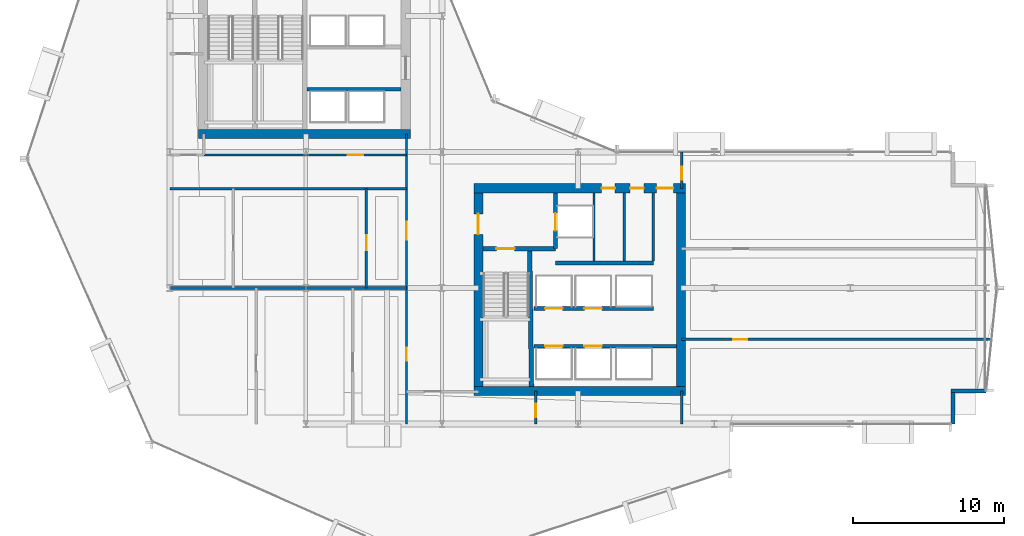
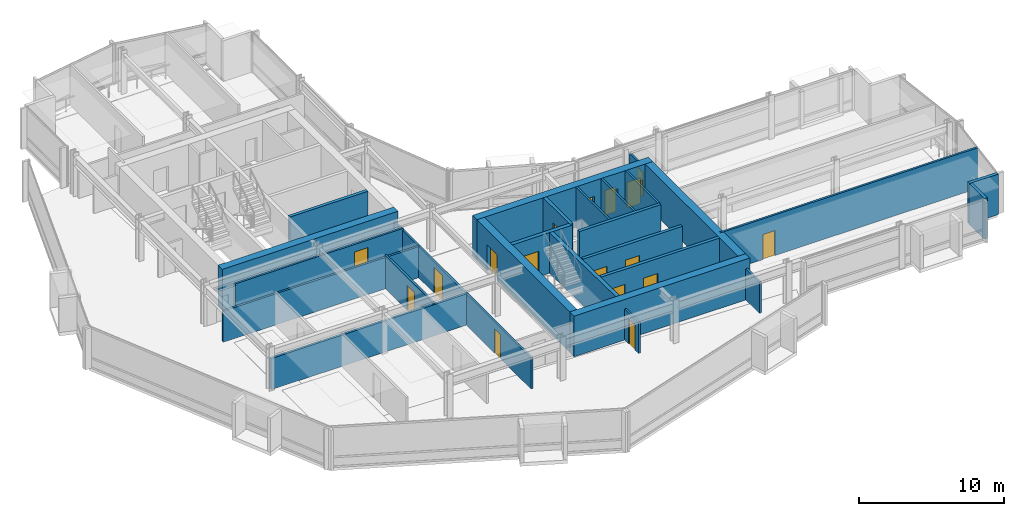
# One storey, part 27 of 34: 26 walls, 17 doors, 17 openings.
"""IFC4 building model written with IfcOpenShell, lengths in metres."""

from ifc_helpers import new_model, si_unit, direction, frame, frame_2d, origin, place, context, subcontext, project, spatial, rectangle, extrude, material, layer, layer_set, type_object, element, fill, save


model = new_model("IFC4")

# Units and contexts
model_context = context("Model", 3, precision=1e-05, world=origin(), true_north=direction((0.0, 1.0)))
body_context = subcontext(model_context, "Body", "Model", "MODEL_VIEW")
ifc_project = project(units=[si_unit("LENGTHUNIT", "METRE"), si_unit("AREAUNIT", "SQUARE_METRE"), si_unit("VOLUMEUNIT", "CUBIC_METRE"), si_unit("PLANEANGLEUNIT", "RADIAN"), si_unit("MASSUNIT", "GRAM", prefix="KILO")], contexts=[model_context])

# Site, building, storey
site_placement = place(None, origin())
site = spatial("IfcSite", under=ifc_project, at=site_placement, CompositionType="ELEMENT")
building_placement = place(site_placement, origin())
building = spatial("IfcBuilding", under=site, at=building_placement, Name="Solvaryn Broadcast Tower", CompositionType="ELEMENT")
storey_placement = place(building_placement, frame((0.0, 0.0, 76.699951171875)))
storey = spatial("IfcBuildingStorey", under=building, at=storey_placement, Name="L18", CompositionType="ELEMENT", Elevation=76.699951171875)

# Walls
ifc_material_1 = material(Name="Concrete f'c 70 MPa", Category="concrete")
ifc_layer_1 = layer(ifc_material_1, 0.60009765625)
ifc_layer_set_1 = layer_set([ifc_layer_1], Name="CW-SHEAR-600")
wall_type_1 = type_object("IfcWallType", Name="CW-SHEAR-600", PredefinedType="SHEAR", material=ifc_layer_set_1)
for number, where, z_axis, x_axis, name in (
    (1, (10.89990234375, 28.199951171875, 0.0), (0.0, 0.0, 1.0), (1.0, 0.0, 0.0), "L18 West Core South Shear Wall"),
    (2, (29.10009765625, 11.199951171875, 0.0), (0.0, 0.0, 1.0), (1.0, 0.0, 0.0), "L18 East Core South Shear Wall"),
):
    element("IfcWall", number, at=place(storey_placement, frame(where, z_axis=z_axis, x_axis=x_axis)), inside=storey, type_object=wall_type_1, Name=name, PredefinedType="SHEAR", context=body_context, shape_type="SweptSolid", body=[
        extrude(rectangle(XDim=14.0, YDim=0.60009765625, at=frame_2d((7.0, 0.0))), origin(), (0.0, 0.0, 1.0), 3.420166015625),
    ])

# Wall, openings, doors
wall_1_placement = place(storey_placement, frame((43.10009765625, 24.60009765625, 0.0), z_axis=(0.0, 0.0, 1.0), x_axis=(-1.0, 0.0, 0.0)))
wall_1 = element("IfcWall", 3, at=wall_1_placement, inside=storey, type_object=wall_type_1, Name="L18 East Core North Shear Wall", PredefinedType="SHEAR", context=body_context, shape_type="SweptSolid", body=[
    extrude(rectangle(XDim=14.0, YDim=0.60009765625, at=frame_2d((7.0, 0.0))), origin(), (0.0, 0.0, 1.0), 3.420166015625),
])
opening_1_placement = place(wall_1_placement, frame((0.800048828125, 0.0, 0.0)))
opening_1 = element("IfcOpeningElement", 4, at=opening_1_placement, cuts=wall_1, Name="Opening FD90C", PredefinedType="OPENING", context=body_context, shape_type="SweptSolid", body=[
    extrude(rectangle(XDim=1.10009765625, YDim=2.14990234375, at=frame_2d((0.550048828125, 1.074951171875))), frame((0.0, 0.31005859375, 0.0), z_axis=(0.0, -1.0, 0.0), x_axis=(1.0, 0.0, 0.0)), (0.0, 0.0, 1.0), 0.6201171875),
])
opening_2_placement = place(wall_1_placement, frame((2.75, 0.0, 0.0)))
opening_2 = element("IfcOpeningElement", 5, at=opening_2_placement, cuts=wall_1, Name="Opening FD60C", PredefinedType="OPENING", context=body_context, shape_type="SweptSolid", body=[
    extrude(rectangle(XDim=0.89990234375, YDim=2.10009765625, at=frame_2d((0.449951171875, 1.050048828125))), frame((0.0, 0.31005859375, 0.0), z_axis=(0.0, -1.0, 0.0), x_axis=(1.0, 0.0, 0.0)), (0.0, 0.0, 1.0), 0.6201171875),
])
opening_3_placement = place(wall_1_placement, frame((4.64990234375, 0.0, 0.0)))
opening_3 = element("IfcOpeningElement", 6, at=opening_3_placement, cuts=wall_1, Name="Opening FD60C", PredefinedType="OPENING", context=body_context, shape_type="SweptSolid", body=[
    extrude(rectangle(XDim=0.89990234375, YDim=2.10009765625, at=frame_2d((0.449951171875, 1.050048828125))), frame((0.0, 0.31005859375, 0.0), z_axis=(0.0, -1.0, 0.0), x_axis=(1.0, 0.0, 0.0)), (0.0, 0.0, 1.0), 0.6201171875),
])
ifc_material_2 = material(Name="Flush Acoustic Steel and Timber Door Assembly", Category="steel")
door_type_1 = type_object("IfcDoorType", Name="FD60-SERV-900X2100", OperationType="NOTDEFINED", PredefinedType="DOOR", material=ifc_material_2)
door_1_placement = place(opening_2_placement, origin())
door_1 = element("IfcDoor", 7, at=door_1_placement, inside=storey, type_object=door_type_1, Name="L18 Staff Restroom Door", OperationType="SINGLE_SWING_LEFT", OverallHeight=2.10009765625, OverallWidth=0.89990234375, PredefinedType="DOOR", context=body_context, shape_type="SweptSolid", body=[
    extrude(rectangle(XDim=0.89990234375, YDim=2.10009765625, at=frame_2d((0.449951171875, 1.050048828125))), frame((0.0, 0.02490234375, 0.0), z_axis=(0.0, -1.0, 0.0), x_axis=(1.0, 0.0, 0.0)), (0.0, 0.0, 1.0), 0.050048828125),
])
fill(opening_2, door_1)
door_2_placement = place(opening_3_placement, origin())
door_2 = element("IfcDoor", 8, at=door_2_placement, inside=storey, type_object=door_type_1, Name="L18 Accessible WC Door", OperationType="SINGLE_SWING_RIGHT", OverallHeight=2.10009765625, OverallWidth=0.89990234375, PredefinedType="DOOR", context=body_context, shape_type="SweptSolid", body=[
    extrude(rectangle(XDim=0.89990234375, YDim=2.10009765625, at=frame_2d((0.449951171875, 1.050048828125))), frame((0.0, 0.02490234375, 0.0), z_axis=(0.0, -1.0, 0.0), x_axis=(1.0, 0.0, 0.0)), (0.0, 0.0, 1.0), 0.050048828125),
])
fill(opening_3, door_2)
ifc_material_3 = material(Name="Flush Acoustic Steel and Timber Door Assembly", Category="steel")
door_type_2 = type_object("IfcDoorType", Name="FD90-PLANT-1100X2150", OperationType="NOTDEFINED", PredefinedType="DOOR", material=ifc_material_3)
door_3_placement = place(opening_1_placement, origin())
door_3 = element("IfcDoor", 9, at=door_3_placement, inside=storey, type_object=door_type_2, Name="L18 East Core Lobby Corridor Door", OperationType="SINGLE_SWING_LEFT", OverallHeight=2.14990234375, OverallWidth=1.10009765625, PredefinedType="DOOR", context=body_context, shape_type="SweptSolid", body=[
    extrude(rectangle(XDim=1.10009765625, YDim=2.14990234375, at=frame_2d((0.550048828125, 1.074951171875))), frame((0.0, 0.02490234375, 0.0), z_axis=(0.0, -1.0, 0.0), x_axis=(1.0, 0.0, 0.0)), (0.0, 0.0, 1.0), 0.050048828125),
])
fill(opening_1, door_3)

# Wall, opening, door
wall_2_placement = place(storey_placement, frame((29.39990234375, 24.300048828125, 0.0), z_axis=(0.0, 0.0, 1.0), x_axis=(0.0, -1.0, 0.0)))
wall_2 = element("IfcWall", 10, at=wall_2_placement, inside=storey, type_object=wall_type_1, Name="L18 East Core West Shear Wall", PredefinedType="SHEAR", context=body_context, shape_type="SweptSolid", body=[
    extrude(rectangle(XDim=12.800048828125, YDim=0.60009765625, at=frame_2d((6.39990234375, 0.0))), origin(), (0.0, 0.0, 1.0), 3.420166015625),
])
opening_4_placement = place(wall_2_placement, frame((1.39990234375, 0.0, 0.0)))
opening_4 = element("IfcOpeningElement", 11, at=opening_4_placement, cuts=wall_2, Name="Opening FD90B", PredefinedType="OPENING", context=body_context, shape_type="SweptSolid", body=[
    extrude(rectangle(XDim=1.35009765625, YDim=2.14990234375, at=frame_2d((0.675048828125, 1.074951171875))), frame((0.0, 0.31005859375, 0.0), z_axis=(0.0, -1.0, 0.0), x_axis=(1.0, 0.0, 0.0)), (0.0, 0.0, 1.0), 0.6201171875),
])
ifc_material_4 = material(Name="Flush Acoustic Steel and Timber Door Assembly", Category="steel")
door_type_3 = type_object("IfcDoorType", Name="FD90-LOBBY-1350X2150", OperationType="NOTDEFINED", PredefinedType="DOOR", material=ifc_material_4)
door_4_placement = place(opening_4_placement, origin())
door_4 = element("IfcDoor", 12, at=door_4_placement, inside=storey, type_object=door_type_3, Name="L18 East FSAE Lobby Door", OperationType="SINGLE_SWING_RIGHT", OverallHeight=2.14990234375, OverallWidth=1.35009765625, PredefinedType="DOOR", context=body_context, shape_type="SweptSolid", body=[
    extrude(rectangle(XDim=1.35009765625, YDim=2.14990234375, at=frame_2d((0.675048828125, 1.074951171875))), frame((0.0, 0.02490234375, 0.0), z_axis=(0.0, -1.0, 0.0), x_axis=(1.0, 0.0, 0.0)), (0.0, 0.0, 1.0), 0.050048828125),
])
fill(opening_4, door_4)

# Walls
wall_3_placement = place(storey_placement, frame((42.800048828125, 11.5, 0.0), z_axis=(0.0, 0.0, 1.0), x_axis=(0.0, 1.0, 0.0)))
element("IfcWall", 13, at=wall_3_placement, inside=storey, type_object=wall_type_1, Name="L18 East Core East Shear Wall", PredefinedType="SHEAR", context=body_context, shape_type="SweptSolid", body=[
    extrude(rectangle(XDim=12.800048828125, YDim=0.60009765625, at=frame_2d((6.39990234375, 0.0))), origin(), (0.0, 0.0, 1.0), 3.420166015625),
])
ifc_material_5 = material(Name="Concrete f'c 50 MPa", Category="concrete")
ifc_layer_2 = layer(ifc_material_5, 0.260009765625)
ifc_layer_set_2 = layer_set([ifc_layer_2], Name="EW-PIER-260")
wall_type_2 = type_object("IfcWallType", Name="EW-PIER-260", PredefinedType="SOLIDWALL", material=ifc_layer_set_2)
wall_4_placement = place(storey_placement, frame((60.800048828125, 9.0, 0.0), z_axis=(0.0, 0.0, 1.0), x_axis=(0.0, 1.0, 0.0)))
element("IfcWall", 14, at=wall_4_placement, inside=storey, type_object=wall_type_2, Name="L18 Notched Corner Pier Wall NSE1", PredefinedType="SOLIDWALL", context=body_context, shape_type="SweptSolid", body=[
    extrude(rectangle(XDim=2.080078125, YDim=0.260009765625, at=frame_2d((1.0400390625, 0.0))), origin(), (0.0, 0.0, 1.0), 3.420166015625),
])
wall_5_placement = place(storey_placement, frame((60.679931640625, 11.199951171875, 0.0), z_axis=(0.0, 0.0, 1.0), x_axis=(1.0, 0.0, 0.0)))
element("IfcWall", 15, at=wall_5_placement, inside=storey, type_object=wall_type_2, Name="L18 Notched Corner Pier Wall NSE2", PredefinedType="SOLIDWALL", context=body_context, shape_type="SweptSolid", body=[
    extrude(rectangle(XDim=2.320068359375, YDim=0.260009765625, at=frame_2d((1.16015625, 0.0))), origin(), (0.0, 0.0, 1.0), 3.420166015625),
])
ifc_material_6 = material(Name="Metal-Stud Service Core Partition")
ifc_layer_3 = layer(ifc_material_6, 0.14990234375)
ifc_layer_set_3 = layer_set([ifc_layer_3], Name="IW-PART-150")
wall_type_3 = type_object("IfcWallType", Name="IW-PART-150", PredefinedType="PARTITIONING", material=ifc_layer_set_3)
for number, where, z_axis, x_axis, name in (
    (16, (37.050048828125, 19.780029296875, 0.0), (0.0, 0.0, 1.0), (0.0, 1.0, 0.0), "L18 Interior Partition IW-L18-CE-FL2E"),
    (17, (39.050048828125, 19.780029296875, 0.0), (0.0, 0.0, 1.0), (0.0, 1.0, 0.0), "L18 Interior Partition IW-L18-CE-V1"),
    (18, (40.97998046875, 19.780029296875, 0.0), (0.0, 0.0, 1.0), (0.0, 1.0, 0.0), "L18 Interior Partition IW-L18-CE-V3"),
):
    element("IfcWall", number, at=place(storey_placement, frame(where, z_axis=z_axis, x_axis=x_axis)), inside=storey, type_object=wall_type_3, Name=name, PredefinedType="PARTITIONING", context=body_context, shape_type="SweptSolid", body=[
        extrude(rectangle(XDim=4.52001953125, YDim=0.14990234375, at=frame_2d((2.260009765625, 0.0))), origin(), (0.0, 0.0, 1.0), 3.420166015625),
    ])

# Wall, opening, door
wall_6_placement = place(storey_placement, frame((33.199951171875, 9.0, 0.0), z_axis=(0.0, 0.0, 1.0), x_axis=(0.0, 1.0, 0.0)))
wall_6 = element("IfcWall", 19, at=wall_6_placement, inside=storey, type_object=wall_type_3, Name="L18 Interior Partition IW-L18-SC-V", PredefinedType="PARTITIONING", context=body_context, shape_type="SweptSolid", body=[
    extrude(rectangle(XDim=2.199951171875, YDim=0.14990234375, at=frame_2d((1.10009765625, 0.0))), origin(), (0.0, 0.0, 1.0), 2.626953125),
])
opening_5_placement = place(wall_6_placement, frame((0.449951171875, 0.0, 0.0)))
opening_5 = element("IfcOpeningElement", 20, at=opening_5_placement, cuts=wall_6, Name="Opening FD60C", PredefinedType="OPENING", context=body_context, shape_type="SweptSolid", body=[
    extrude(rectangle(XDim=0.89990234375, YDim=2.10009765625, at=frame_2d((0.449951171875, 1.050048828125))), frame((0.0, 0.0849609375, 0.0), z_axis=(0.0, -1.0, 0.0), x_axis=(1.0, 0.0, 0.0)), (0.0, 0.0, 1.0), 0.169921875),
])
door_5_placement = place(opening_5_placement, origin())
door_5 = element("IfcDoor", 21, at=door_5_placement, inside=storey, type_object=door_type_1, Name="L18 Door DR-L18-SC1", OperationType="SINGLE_SWING_LEFT", OverallHeight=2.10009765625, OverallWidth=0.89990234375, PredefinedType="DOOR", context=body_context, shape_type="SweptSolid", body=[
    extrude(rectangle(XDim=0.89990234375, YDim=2.10009765625, at=frame_2d((0.449951171875, 1.050048828125))), frame((0.0, 0.02490234375, 0.0), z_axis=(0.0, -1.0, 0.0), x_axis=(1.0, 0.0, 0.0)), (0.0, 0.0, 1.0), 0.050048828125),
])
fill(opening_5, door_5)

# Wall, openings, doors
ifc_material_7 = material(Name="Metal-Stud Gypsum Office Partition")
ifc_layer_4 = layer(ifc_material_7, 0.159912109375)
ifc_layer_set_4 = layer_set([ifc_layer_4], Name="IW-PART-160")
wall_type_4 = type_object("IfcWallType", Name="IW-PART-160", PredefinedType="PARTITIONING", material=ifc_layer_set_4)
wall_7_placement = place(storey_placement, frame((24.64990234375, 9.0, 0.0), z_axis=(0.0, 0.0, 1.0), x_axis=(0.0, 1.0, 0.0)))
wall_7 = element("IfcWall", 22, at=wall_7_placement, inside=storey, type_object=wall_type_4, Name="L18 Interior Partition IW-L18-SW-EB", PredefinedType="PARTITIONING", context=body_context, shape_type="SweptSolid", body=[
    extrude(rectangle(XDim=19.199951171875, YDim=0.159912109375, at=frame_2d((9.60009765625, 0.0))), origin(), (0.0, 0.0, 1.0), 2.626953125),
])
opening_6_placement = place(wall_7_placement, frame((12.199951171875, 0.0, 0.0)))
opening_6 = element("IfcOpeningElement", 23, at=opening_6_placement, cuts=wall_7, Name="Opening ID04", PredefinedType="OPENING", context=body_context, shape_type="SweptSolid", body=[
    extrude(rectangle(XDim=1.199951171875, YDim=2.14990234375, at=frame_2d((0.60009765625, 1.074951171875))), frame((0.0, 0.090087890625, 0.0), z_axis=(0.0, -1.0, 0.0), x_axis=(1.0, 0.0, 0.0)), (0.0, 0.0, 1.0), 0.179931640625),
])
opening_7_placement = place(wall_7_placement, frame((4.199951171875, 0.0, 0.0)))
opening_7 = element("IfcOpeningElement", 24, at=opening_7_placement, cuts=wall_7, Name="Opening ID07", PredefinedType="OPENING", context=body_context, shape_type="SweptSolid", body=[
    extrude(rectangle(XDim=0.860107421875, YDim=2.050048828125, at=frame_2d((0.43017578125, 1.02490234375))), frame((0.0, 0.090087890625, 0.0), z_axis=(0.0, -1.0, 0.0), x_axis=(1.0, 0.0, 0.0)), (0.0, 0.0, 1.0), 0.179931640625),
])
ifc_material_8 = material(Name="Flush Acoustic Steel and Timber Door Assembly", Category="steel")
door_type_4 = type_object("IfcDoorType", Name="ID-04-1200X2150", OperationType="NOTDEFINED", PredefinedType="DOOR", material=ifc_material_8)
door_6_placement = place(opening_6_placement, origin())
door_6 = element("IfcDoor", 25, at=door_6_placement, inside=storey, type_object=door_type_4, Name="L18 Door DR-L18-SW-EN", OperationType="SINGLE_SWING_LEFT", OverallHeight=2.14990234375, OverallWidth=1.199951171875, PredefinedType="DOOR", context=body_context, shape_type="SweptSolid", body=[
    extrude(rectangle(XDim=1.199951171875, YDim=2.14990234375, at=frame_2d((0.60009765625, 1.074951171875))), frame((0.0, 0.02490234375, 0.0), z_axis=(0.0, -1.0, 0.0), x_axis=(1.0, 0.0, 0.0)), (0.0, 0.0, 1.0), 0.050048828125),
])
fill(opening_6, door_6)
ifc_material_9 = material(Name="Flush Acoustic Steel and Timber Door Assembly", Category="steel")
door_type_5 = type_object("IfcDoorType", Name="ID-07-860X2050", OperationType="NOTDEFINED", PredefinedType="DOOR", material=ifc_material_9)
door_7_placement = place(opening_7_placement, origin())
door_7 = element("IfcDoor", 26, at=door_7_placement, inside=storey, type_object=door_type_5, Name="L18 Door DR-L18-SW-ES", OperationType="SINGLE_SWING_RIGHT", OverallHeight=2.050048828125, OverallWidth=0.860107421875, PredefinedType="DOOR", context=body_context, shape_type="SweptSolid", body=[
    extrude(rectangle(XDim=0.860107421875, YDim=2.050048828125, at=frame_2d((0.43017578125, 1.02490234375))), frame((0.0, 0.02490234375, 0.0), z_axis=(0.0, -1.0, 0.0), x_axis=(1.0, 0.0, 0.0)), (0.0, 0.0, 1.0), 0.050048828125),
])
fill(opening_7, door_7)

# Wall
wall_8_placement = place(storey_placement, frame((9.0, 24.580078125, 0.0), z_axis=(0.0, 0.0, 1.0), x_axis=(1.0, 0.0, 0.0)))
element("IfcWall", 27, at=wall_8_placement, inside=storey, type_object=wall_type_4, Name="L18 Interior Partition IW-L18-SW-NB", PredefinedType="PARTITIONING", context=body_context, shape_type="SweptSolid", body=[
    extrude(rectangle(XDim=15.64990234375, YDim=0.159912109375, at=frame_2d((7.824951171875, 0.0))), origin(), (0.0, 0.0, 1.0), 2.626953125),
])

# Wall, opening, door
wall_9_placement = place(storey_placement, frame((11.25, 26.800048828125, 0.0), z_axis=(0.0, 0.0, 1.0), x_axis=(1.0, 0.0, 0.0)))
wall_9 = element("IfcWall", 28, at=wall_9_placement, inside=storey, type_object=wall_type_4, Name="L18 Interior Partition IW-L18-SW-N2", PredefinedType="PARTITIONING", context=body_context, shape_type="SweptSolid", body=[
    extrude(rectangle(XDim=13.39990234375, YDim=0.159912109375, at=frame_2d((6.699951171875, 0.0))), origin(), (0.0, 0.0, 1.0), 2.7890625),
])
opening_8_placement = place(wall_9_placement, frame((9.5, 0.0, 0.0)))
opening_8 = element("IfcOpeningElement", 29, at=opening_8_placement, cuts=wall_9, Name="Opening ID03", PredefinedType="OPENING", context=body_context, shape_type="SweptSolid", body=[
    extrude(rectangle(XDim=1.050048828125, YDim=2.14990234375, at=frame_2d((0.52490234375, 1.074951171875))), frame((0.0, 0.090087890625, 0.0), z_axis=(0.0, -1.0, 0.0), x_axis=(1.0, 0.0, 0.0)), (0.0, 0.0, 1.0), 0.179931640625),
])
ifc_material_10 = material(Name="Flush Acoustic Steel and Timber Door Assembly", Category="steel")
door_type_6 = type_object("IfcDoorType", Name="ID-03-1050X2150", OperationType="NOTDEFINED", PredefinedType="DOOR", material=ifc_material_10)
door_8_placement = place(opening_8_placement, origin())
door_8 = element("IfcDoor", 30, at=door_8_placement, inside=storey, type_object=door_type_6, Name="L18 Door DR-L18-SW-ALC", OperationType="SINGLE_SWING_RIGHT", OverallHeight=2.14990234375, OverallWidth=1.050048828125, PredefinedType="DOOR", context=body_context, shape_type="SweptSolid", body=[
    extrude(rectangle(XDim=1.050048828125, YDim=2.14990234375, at=frame_2d((0.52490234375, 1.074951171875))), frame((0.0, 0.02490234375, 0.0), z_axis=(0.0, -1.0, 0.0), x_axis=(1.0, 0.0, 0.0)), (0.0, 0.0, 1.0), 0.050048828125),
])
fill(opening_8, door_8)

wall_10_placement = place(storey_placement, frame((22.0, 18.0, 0.0), z_axis=(0.0, 0.0, 1.0), x_axis=(0.0, 1.0, 0.0)))
wall_10 = element("IfcWall", 31, at=wall_10_placement, inside=storey, type_object=wall_type_4, Name="L18 Interior Partition IW-L18-SWN-V2", PredefinedType="PARTITIONING", context=body_context, shape_type="SweptSolid", body=[
    extrude(rectangle(XDim=6.580078125, YDim=0.159912109375, at=frame_2d((3.2900390625, 0.0))), origin(), (0.0, 0.0, 1.0), 2.7890625),
])
opening_9_placement = place(wall_10_placement, frame((2.5, 0.0, 0.0)))
opening_9 = element("IfcOpeningElement", 32, at=opening_9_placement, cuts=wall_10, Name="Opening ID02", PredefinedType="OPENING", context=body_context, shape_type="SweptSolid", body=[
    extrude(rectangle(XDim=1.0, YDim=2.10009765625, at=frame_2d((0.5, 1.050048828125))), frame((0.0, 0.090087890625, 0.0), z_axis=(0.0, -1.0, 0.0), x_axis=(1.0, 0.0, 0.0)), (0.0, 0.0, 1.0), 0.179931640625),
])
ifc_material_11 = material(Name="Flush Acoustic Steel and Timber Door Assembly", Category="steel")
door_type_7 = type_object("IfcDoorType", Name="ID-02-1000X2100", OperationType="NOTDEFINED", PredefinedType="DOOR", material=ifc_material_11)
door_9_placement = place(opening_9_placement, origin())
door_9 = element("IfcDoor", 33, at=door_9_placement, inside=storey, type_object=door_type_7, Name="L18 Door DR-L18-SWN-2", OperationType="SINGLE_SWING_RIGHT", OverallHeight=2.10009765625, OverallWidth=1.0, PredefinedType="DOOR", context=body_context, shape_type="SweptSolid", body=[
    extrude(rectangle(XDim=1.0, YDim=2.10009765625, at=frame_2d((0.5, 1.050048828125))), frame((0.0, 0.02490234375, 0.0), z_axis=(0.0, -1.0, 0.0), x_axis=(1.0, 0.0, 0.0)), (0.0, 0.0, 1.0), 0.050048828125),
])
fill(opening_9, door_9)

# Wall
wall_11_placement = place(storey_placement, frame((42.85009765625, 9.0, 0.0), z_axis=(0.0, 0.0, 1.0), x_axis=(0.0, 1.0, 0.0)))
element("IfcWall", 34, at=wall_11_placement, inside=storey, type_object=wall_type_4, Name="L18 Interior Partition IW-L18-SC-E", PredefinedType="PARTITIONING", context=body_context, shape_type="SweptSolid", body=[
    extrude(rectangle(XDim=2.199951171875, YDim=0.159912109375, at=frame_2d((1.10009765625, 0.0))), origin(), (0.0, 0.0, 1.0), 2.626953125),
])

# Wall, opening, door
wall_12_placement = place(storey_placement, frame((42.85009765625, 24.60009765625, 0.0), z_axis=(0.0, 0.0, 1.0), x_axis=(0.0, 1.0, 0.0)))
wall_12 = element("IfcWall", 35, at=wall_12_placement, inside=storey, type_object=wall_type_4, Name="L18 Interior Partition IW-L18-EW-BN", PredefinedType="PARTITIONING", context=body_context, shape_type="SweptSolid", body=[
    extrude(rectangle(XDim=2.39990234375, YDim=0.159912109375, at=frame_2d((1.199951171875, 0.0))), origin(), (0.0, 0.0, 1.0), 2.626953125),
])
opening_10_placement = place(wall_12_placement, frame((0.550048828125, 0.0, 0.0)))
opening_10 = element("IfcOpeningElement", 36, at=opening_10_placement, cuts=wall_12, Name="Opening ID07", PredefinedType="OPENING", context=body_context, shape_type="SweptSolid", body=[
    extrude(rectangle(XDim=0.860107421875, YDim=2.050048828125, at=frame_2d((0.43017578125, 1.02490234375))), frame((0.0, 0.090087890625, 0.0), z_axis=(0.0, -1.0, 0.0), x_axis=(1.0, 0.0, 0.0)), (0.0, 0.0, 1.0), 0.179931640625),
])
door_10_placement = place(opening_10_placement, origin())
door_10 = element("IfcDoor", 37, at=door_10_placement, inside=storey, type_object=door_type_5, Name="L18 Door DR-L18-EW0", OperationType="SINGLE_SWING_RIGHT", OverallHeight=2.050048828125, OverallWidth=0.860107421875, PredefinedType="DOOR", context=body_context, shape_type="SweptSolid", body=[
    extrude(rectangle(XDim=0.860107421875, YDim=2.050048828125, at=frame_2d((0.43017578125, 1.02490234375))), frame((0.0, 0.02490234375, 0.0), z_axis=(0.0, -1.0, 0.0), x_axis=(1.0, 0.0, 0.0)), (0.0, 0.0, 1.0), 0.050048828125),
])
fill(opening_10, door_10)

wall_13_placement = place(storey_placement, frame((42.85009765625, 14.60009765625, 0.0), z_axis=(0.0, 0.0, 1.0), x_axis=(1.0, 0.0, 0.0)))
wall_13 = element("IfcWall", 38, at=wall_13_placement, inside=storey, type_object=wall_type_4, Name="L18 Interior Partition IW-L18-EW-H1", PredefinedType="PARTITIONING", context=body_context, shape_type="SweptSolid", body=[
    extrude(rectangle(XDim=20.5, YDim=0.159912109375, at=frame_2d((10.25, 0.0))), origin(), (0.0, 0.0, 1.0), 3.420166015625),
])
opening_11_placement = place(wall_13_placement, frame((3.39990234375, 0.0, 0.0)))
opening_11 = element("IfcOpeningElement", 39, at=opening_11_placement, cuts=wall_13, Name="Opening ID01", PredefinedType="OPENING", context=body_context, shape_type="SweptSolid", body=[
    extrude(rectangle(XDim=0.949951171875, YDim=2.10009765625, at=frame_2d((0.47509765625, 1.050048828125))), frame((0.0, 0.090087890625, 0.0), z_axis=(0.0, -1.0, 0.0), x_axis=(1.0, 0.0, 0.0)), (0.0, 0.0, 1.0), 0.179931640625),
])
ifc_material_12 = material(Name="Flush Acoustic Steel and Timber Door Assembly", Category="steel")
door_type_8 = type_object("IfcDoorType", Name="ID-01-950X2100", OperationType="NOTDEFINED", PredefinedType="DOOR", material=ifc_material_12)
door_11_placement = place(opening_11_placement, origin())
door_11 = element("IfcDoor", 40, at=door_11_placement, inside=storey, type_object=door_type_8, Name="L18 Door DR-L18-EW-1", OperationType="SINGLE_SWING_LEFT", OverallHeight=2.10009765625, OverallWidth=0.949951171875, PredefinedType="DOOR", context=body_context, shape_type="SweptSolid", body=[
    extrude(rectangle(XDim=0.949951171875, YDim=2.10009765625, at=frame_2d((0.47509765625, 1.050048828125))), frame((0.0, 0.02490234375, 0.0), z_axis=(0.0, -1.0, 0.0), x_axis=(1.0, 0.0, 0.0)), (0.0, 0.0, 1.0), 0.050048828125),
])
fill(opening_11, door_11)

# Walls
ifc_material_13 = material(Name="Acoustic Metal-Stud Gypsum Partition")
ifc_layer_5 = layer(ifc_material_13, 0.179931640625)
ifc_layer_set_5 = layer_set([ifc_layer_5], Name="IW-PART-180")
wall_type_5 = type_object("IfcWallType", Name="IW-PART-180", PredefinedType="PARTITIONING", material=ifc_layer_set_5)
wall_14_placement = place(storey_placement, frame((9.0, 18.0, 0.0), z_axis=(0.0, 0.0, 1.0), x_axis=(1.0, 0.0, 0.0)))
element("IfcWall", 41, at=wall_14_placement, inside=storey, type_object=wall_type_5, Name="L18 Interior Partition IW-L18-SW-HY", PredefinedType="PARTITIONING", context=body_context, shape_type="SweptSolid", body=[
    extrude(rectangle(XDim=15.64990234375, YDim=0.179931640625, at=frame_2d((7.824951171875, 0.0))), origin(), (0.0, 0.0, 1.0), 2.626953125),
])
ifc_material_14 = material(Name="Concrete f'c 60 MPa", Category="concrete")
ifc_layer_6 = layer(ifc_material_14, 0.25)
ifc_layer_set_6 = layer_set([ifc_layer_6], Name="SW-SHAFT-250")
wall_type_6 = type_object("IfcWallType", Name="SW-SHAFT-250", PredefinedType="PARTITIONING", material=ifc_layer_set_6)
wall_15_placement = place(storey_placement, frame((18.070068359375, 31.14990234375, 0.0), z_axis=(0.0, 0.0, 1.0), x_axis=(1.0, 0.0, 0.0)))
element("IfcWall", 42, at=wall_15_placement, inside=storey, type_object=wall_type_6, Name="L18 High-Rise Lift Bank South Wall", PredefinedType="PARTITIONING", context=body_context, shape_type="SweptSolid", body=[
    extrude(rectangle(XDim=6.22998046875, YDim=0.25, at=frame_2d((3.114990234375, 0.0))), origin(), (0.0, 0.0, 1.0), 3.420166015625),
])

# Wall, opening, door
wall_16_placement = place(storey_placement, frame((34.5, 20.60009765625, 0.0), z_axis=(0.0, 0.0, 1.0), x_axis=(0.0, 1.0, 0.0)))
wall_16 = element("IfcWall", 43, at=wall_16_placement, inside=storey, type_object=wall_type_6, Name="L18 East FSAE Lobby East Wall", PredefinedType="PARTITIONING", context=body_context, shape_type="SweptSolid", body=[
    extrude(rectangle(XDim=3.699951171875, YDim=0.25, at=frame_2d((1.85009765625, 0.0))), origin(), (0.0, 0.0, 1.0), 3.420166015625),
])
opening_12_placement = place(wall_16_placement, frame((1.199951171875, 0.0, 0.0)))
opening_12 = element("IfcOpeningElement", 44, at=opening_12_placement, cuts=wall_16, Name="Opening LD01", PredefinedType="OPENING", context=body_context, shape_type="SweptSolid", body=[
    extrude(rectangle(XDim=1.14990234375, YDim=2.14990234375, at=frame_2d((0.574951171875, 1.074951171875))), frame((0.0, 0.135009765625, 0.0), z_axis=(0.0, -1.0, 0.0), x_axis=(1.0, 0.0, 0.0)), (0.0, 0.0, 1.0), 0.27001953125),
])
ifc_material_15 = material(Name="Flush Acoustic Steel and Timber Door Assembly", Category="steel")
door_type_9 = type_object("IfcDoorType", Name="LD-LIFT-1150X2150", OperationType="NOTDEFINED", PredefinedType="DOOR", material=ifc_material_15)
door_12_placement = place(opening_12_placement, origin())
door_12 = element("IfcDoor", 45, at=door_12_placement, inside=storey, type_object=door_type_9, Name="L18 FL2 Lift Landing Door", OperationType="DOUBLE_DOOR_SLIDING", OverallHeight=2.14990234375, OverallWidth=1.14990234375, PredefinedType="DOOR", context=body_context, shape_type="SweptSolid", body=[
    extrude(rectangle(XDim=1.14990234375, YDim=2.14990234375, at=frame_2d((0.574951171875, 1.074951171875))), frame((0.0, 0.02490234375, 0.0), z_axis=(0.0, -1.0, 0.0), x_axis=(1.0, 0.0, 0.0)), (0.0, 0.0, 1.0), 0.050048828125),
])
fill(opening_12, door_12)

# Wall
wall_17_placement = place(storey_placement, frame((34.5, 19.64990234375, 0.0), z_axis=(0.0, 0.0, 1.0), x_axis=(1.0, 0.0, 0.0)))
element("IfcWall", 46, at=wall_17_placement, inside=storey, type_object=wall_type_6, Name="L18 East Core Restroom South Wall", PredefinedType="PARTITIONING", context=body_context, shape_type="SweptSolid", body=[
    extrude(rectangle(XDim=6.47998046875, YDim=0.25, at=frame_2d((3.239990234375, 0.0))), origin(), (0.0, 0.0, 1.0), 3.420166015625),
])

# Wall, openings, doors
wall_18_placement = place(storey_placement, frame((33.070068359375, 14.14990234375, 0.0), z_axis=(0.0, 0.0, 1.0), x_axis=(1.0, 0.0, 0.0)))
wall_18 = element("IfcWall", 47, at=wall_18_placement, inside=storey, type_object=wall_type_6, Name="L18 East Lift Bank South Wall", PredefinedType="PARTITIONING", context=body_context, shape_type="SweptSolid", body=[
    extrude(rectangle(XDim=9.429931640625, YDim=0.25, at=frame_2d((4.71484375, 0.0))), origin(), (0.0, 0.0, 1.0), 3.420166015625),
])
opening_13_placement = place(wall_18_placement, frame((0.7548828125, 0.0, 0.0)))
opening_13 = element("IfcOpeningElement", 48, at=opening_13_placement, cuts=wall_18, Name="Opening LD01", PredefinedType="OPENING", context=body_context, shape_type="SweptSolid", body=[
    extrude(rectangle(XDim=1.14990234375, YDim=2.14990234375, at=frame_2d((0.574951171875, 1.074951171875))), frame((0.0, 0.135009765625, 0.0), z_axis=(0.0, -1.0, 0.0), x_axis=(1.0, 0.0, 0.0)), (0.0, 0.0, 1.0), 0.27001953125),
])
opening_14_placement = place(wall_18_placement, frame((3.35498046875, 0.0, 0.0)))
opening_14 = element("IfcOpeningElement", 49, at=opening_14_placement, cuts=wall_18, Name="Opening LD01", PredefinedType="OPENING", context=body_context, shape_type="SweptSolid", body=[
    extrude(rectangle(XDim=1.14990234375, YDim=2.14990234375, at=frame_2d((0.574951171875, 1.074951171875))), frame((0.0, 0.135009765625, 0.0), z_axis=(0.0, -1.0, 0.0), x_axis=(1.0, 0.0, 0.0)), (0.0, 0.0, 1.0), 0.27001953125),
])
door_13_placement = place(opening_13_placement, origin())
door_13 = element("IfcDoor", 50, at=door_13_placement, inside=storey, type_object=door_type_9, Name="L18 PL1 Lift Landing Door", OperationType="DOUBLE_DOOR_SLIDING", OverallHeight=2.14990234375, OverallWidth=1.14990234375, PredefinedType="DOOR", context=body_context, shape_type="SweptSolid", body=[
    extrude(rectangle(XDim=1.14990234375, YDim=2.14990234375, at=frame_2d((0.574951171875, 1.074951171875))), frame((0.0, 0.02490234375, 0.0), z_axis=(0.0, -1.0, 0.0), x_axis=(1.0, 0.0, 0.0)), (0.0, 0.0, 1.0), 0.050048828125),
])
fill(opening_13, door_13)
door_14_placement = place(opening_14_placement, origin())
door_14 = element("IfcDoor", 51, at=door_14_placement, inside=storey, type_object=door_type_9, Name="L18 PL2 Lift Landing Door", OperationType="DOUBLE_DOOR_SLIDING", OverallHeight=2.14990234375, OverallWidth=1.14990234375, PredefinedType="DOOR", context=body_context, shape_type="SweptSolid", body=[
    extrude(rectangle(XDim=1.14990234375, YDim=2.14990234375, at=frame_2d((0.574951171875, 1.074951171875))), frame((0.0, 0.02490234375, 0.0), z_axis=(0.0, -1.0, 0.0), x_axis=(1.0, 0.0, 0.0)), (0.0, 0.0, 1.0), 0.050048828125),
])
fill(opening_14, door_14)

wall_19_placement = place(storey_placement, frame((40.97998046875, 16.64990234375, 0.0), z_axis=(0.0, 0.0, 1.0), x_axis=(-1.0, 0.0, 0.0)))
wall_19 = element("IfcWall", 52, at=wall_19_placement, inside=storey, type_object=wall_type_6, Name="L18 East Lift Bank North Wall", PredefinedType="PARTITIONING", context=body_context, shape_type="SweptSolid", body=[
    extrude(rectangle(XDim=7.909912109375, YDim=0.25, at=frame_2d((3.955078125, 0.0))), origin(), (0.0, 0.0, 1.0), 3.420166015625),
])
opening_15_placement = place(wall_19_placement, frame((6.0048828125, 0.0, 0.0)))
opening_15 = element("IfcOpeningElement", 53, at=opening_15_placement, cuts=wall_19, Name="Opening LD01", PredefinedType="OPENING", context=body_context, shape_type="SweptSolid", body=[
    extrude(rectangle(XDim=1.14990234375, YDim=2.14990234375, at=frame_2d((0.574951171875, 1.074951171875))), frame((0.0, 0.135009765625, 0.0), z_axis=(0.0, -1.0, 0.0), x_axis=(1.0, 0.0, 0.0)), (0.0, 0.0, 1.0), 0.27001953125),
])
opening_16_placement = place(wall_19_placement, frame((3.405029296875, 0.0, 0.0)))
opening_16 = element("IfcOpeningElement", 54, at=opening_16_placement, cuts=wall_19, Name="Opening LD01", PredefinedType="OPENING", context=body_context, shape_type="SweptSolid", body=[
    extrude(rectangle(XDim=1.14990234375, YDim=2.14990234375, at=frame_2d((0.574951171875, 1.074951171875))), frame((0.0, 0.135009765625, 0.0), z_axis=(0.0, -1.0, 0.0), x_axis=(1.0, 0.0, 0.0)), (0.0, 0.0, 1.0), 0.27001953125),
])
door_15_placement = place(opening_15_placement, origin())
door_15 = element("IfcDoor", 55, at=door_15_placement, inside=storey, type_object=door_type_9, Name="L18 PL3 Lift Landing Door", OperationType="DOUBLE_DOOR_SLIDING", OverallHeight=2.14990234375, OverallWidth=1.14990234375, PredefinedType="DOOR", context=body_context, shape_type="SweptSolid", body=[
    extrude(rectangle(XDim=1.14990234375, YDim=2.14990234375, at=frame_2d((0.574951171875, 1.074951171875))), frame((0.0, 0.02490234375, 0.0), z_axis=(0.0, -1.0, 0.0), x_axis=(1.0, 0.0, 0.0)), (0.0, 0.0, 1.0), 0.050048828125),
])
fill(opening_15, door_15)
door_16_placement = place(opening_16_placement, origin())
door_16 = element("IfcDoor", 56, at=door_16_placement, inside=storey, type_object=door_type_9, Name="L18 PL4 Lift Landing Door", OperationType="DOUBLE_DOOR_SLIDING", OverallHeight=2.14990234375, OverallWidth=1.14990234375, PredefinedType="DOOR", context=body_context, shape_type="SweptSolid", body=[
    extrude(rectangle(XDim=1.14990234375, YDim=2.14990234375, at=frame_2d((0.574951171875, 1.074951171875))), frame((0.0, 0.02490234375, 0.0), z_axis=(0.0, -1.0, 0.0), x_axis=(1.0, 0.0, 0.0)), (0.0, 0.0, 1.0), 0.050048828125),
])
fill(opening_16, door_16)

# Wall
ifc_material_16 = material(Name="Concrete f'c 70 MPa", Category="concrete")
ifc_layer_7 = layer(ifc_material_16, 0.300048828125)
ifc_layer_set_7 = layer_set([ifc_layer_7], Name="SW-SHAFT-300")
wall_type_7 = type_object("IfcWallType", Name="SW-SHAFT-300", PredefinedType="SHEAR", material=ifc_layer_set_7)
wall_20_placement = place(storey_placement, frame((32.919921875, 11.5, 0.0), z_axis=(0.0, 0.0, 1.0), x_axis=(-0.013244407292, 0.999912288991, 0.0)))
element("IfcWall", 57, at=wall_20_placement, inside=storey, type_object=wall_type_7, Name="L18 Stair 3 East Shear Wall", PredefinedType="SHEAR", context=body_context, shape_type="SweptSolid", body=[
    extrude(rectangle(XDim=9.05078125, YDim=0.300048828125, at=frame_2d((4.525390625, 0.0))), origin(), (0.0, 0.0, 1.0), 3.420166015625),
])

# Wall, opening, door
wall_21_placement = place(storey_placement, frame((34.5, 20.60009765625, 0.0), z_axis=(0.0, 0.0, 1.0), x_axis=(-1.0, 0.0, 0.0)))
wall_21 = element("IfcWall", 58, at=wall_21_placement, inside=storey, type_object=wall_type_7, Name="L18 East FSAE Lobby South Wall", PredefinedType="SHEAR", context=body_context, shape_type="SweptSolid", body=[
    extrude(rectangle(XDim=4.800048828125, YDim=0.300048828125, at=frame_2d((2.39990234375, 0.0))), origin(), (0.0, 0.0, 1.0), 3.420166015625),
])
opening_17_placement = place(wall_21_placement, frame((2.699951171875, 0.0, 0.0)))
opening_17 = element("IfcOpeningElement", 59, at=opening_17_placement, cuts=wall_21, Name="Opening FD90A", PredefinedType="OPENING", context=body_context, shape_type="SweptSolid", body=[
    extrude(rectangle(XDim=1.199951171875, YDim=2.14990234375, at=frame_2d((0.60009765625, 1.074951171875))), frame((0.0, 0.159912109375, 0.0), z_axis=(0.0, -1.0, 0.0), x_axis=(1.0, 0.0, 0.0)), (0.0, 0.0, 1.0), 0.320068359375),
])
ifc_material_17 = material(Name="Flush Acoustic Steel and Timber Door Assembly", Category="steel")
door_type_10 = type_object("IfcDoorType", Name="FD90-STAIR-1200X2150", OperationType="NOTDEFINED", PredefinedType="DOOR", material=ifc_material_17)
door_17_placement = place(opening_17_placement, origin())
door_17 = element("IfcDoor", 60, at=door_17_placement, inside=storey, type_object=door_type_10, Name="L18 Stair 3 Fire Door", OperationType="SINGLE_SWING_LEFT", OverallHeight=2.14990234375, OverallWidth=1.199951171875, PredefinedType="DOOR", context=body_context, shape_type="SweptSolid", body=[
    extrude(rectangle(XDim=1.199951171875, YDim=2.14990234375, at=frame_2d((0.60009765625, 1.074951171875))), frame((0.0, 0.02490234375, 0.0), z_axis=(0.0, -1.0, 0.0), x_axis=(1.0, 0.0, 0.0)), (0.0, 0.0, 1.0), 0.050048828125),
])
fill(opening_17, door_17)

save(model, "model.ifc")
